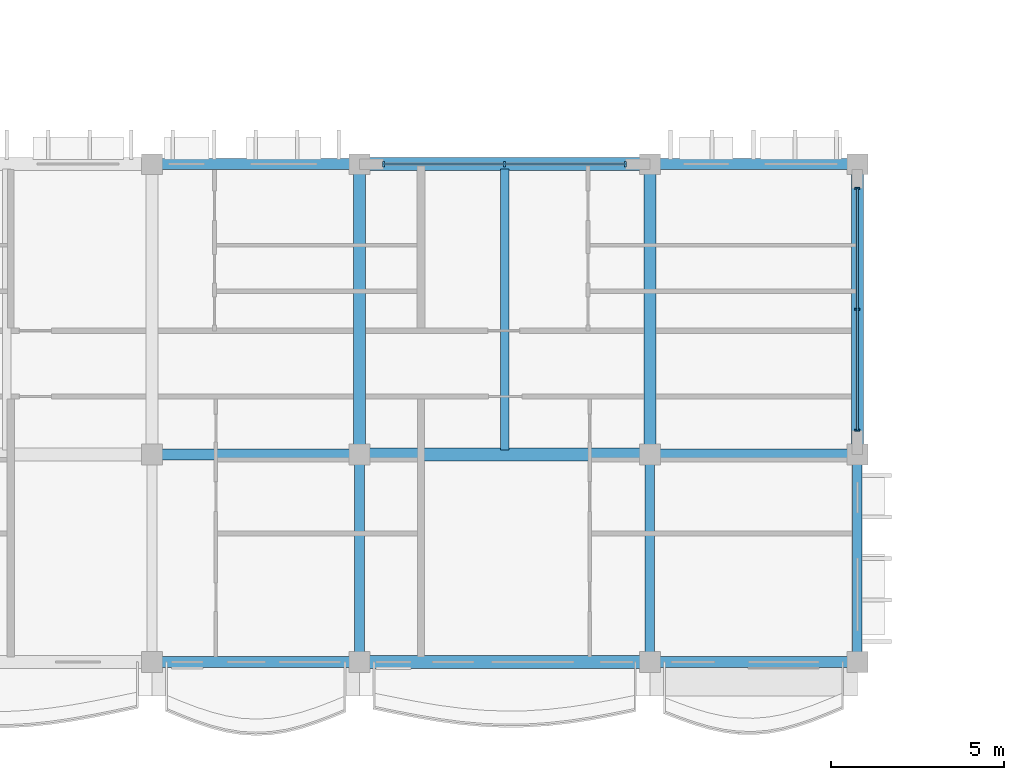
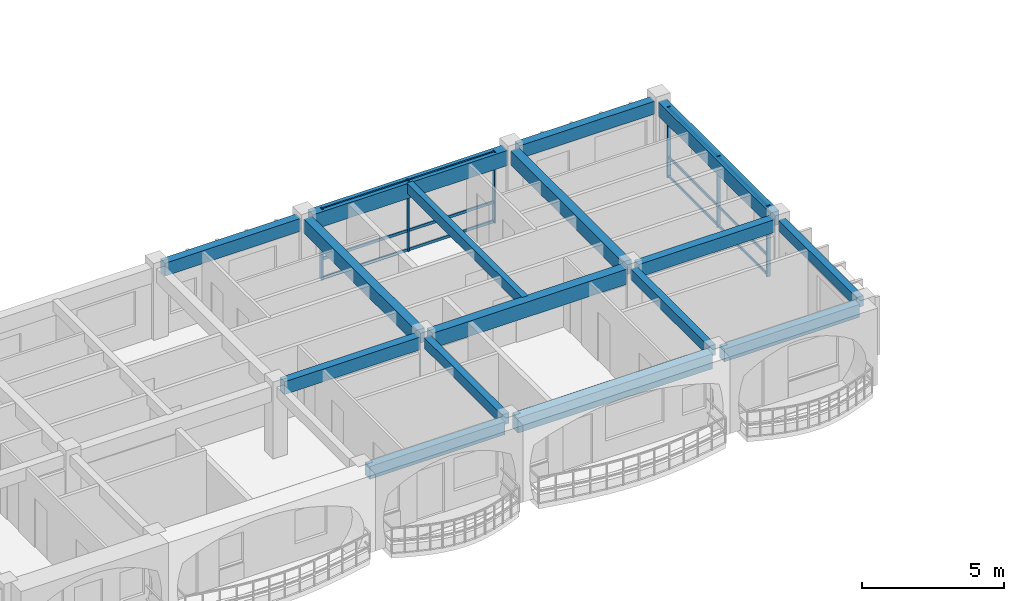
# One storey, part 5 of 76: 16 beams, 12 members, 2 elements without a shape of their own.
"""IFC4 building model written with IfcOpenShell, lengths in metres."""

from ifc_helpers import new_model, si_unit, direction, frame, origin, origin_2d, place, context, subcontext, project, spatial, rectangle, extrude, material, material_profile, profile_set, type_object, element, aggregate, save


model = new_model("IFC4")

# Units and contexts
model_context = context("Model", 3, precision=1e-05, world=origin(), true_north=direction((0.0, 1.0)))
body_context = subcontext(model_context, "Body", "Model", "MODEL_VIEW")
ifc_project = project(units=[si_unit("LENGTHUNIT", "METRE"), si_unit("AREAUNIT", "SQUARE_METRE"), si_unit("VOLUMEUNIT", "CUBIC_METRE"), si_unit("PLANEANGLEUNIT", "RADIAN"), si_unit("MASSUNIT", "GRAM", prefix="KILO"), si_unit("THERMODYNAMICTEMPERATUREUNIT", "KELVIN")], contexts=[model_context])

# Site, building, storey
site_placement = place(None, origin())
site = spatial("IfcSite", under=ifc_project, at=site_placement, CompositionType="ELEMENT")
building_placement = place(site_placement, origin())
building = spatial("IfcBuilding", under=site, at=building_placement, Name="Thalorik Housing Commons", CompositionType="ELEMENT")
storey_placement = place(building_placement, frame((0.0, 0.0, 18.0)))
storey = spatial("IfcBuildingStorey", under=building, at=storey_placement, Name="L05", CompositionType="ELEMENT", Elevation=18.0)

# Curtain wall, members
ifc_material_1 = material(Name="Anodised aluminium and solar-control low-E glass", Category="aluminium")
curtain_wall_type = type_object("IfcCurtainWallType", Name="ARC-CW-LOUNGE", PredefinedType="USERDEFINED", material=ifc_material_1)
curtain_wall_1_placement = place(storey_placement, origin())
curtain_wall_1 = element("IfcCurtainWall", 1, at=curtain_wall_1_placement, inside=storey, type_object=curtain_wall_type, Name="L05 Curtain Wall CW-RES-L05-C-151", ObjectType="CURTAIN WALL", PredefinedType="USERDEFINED")
ifc_material_2 = material(Name="Anodised aluminium 6063-T6", Category="aluminium")
ifc_material_profile_1 = material_profile(ifc_material_2, rectangle(XDim=0.054931640625, YDim=0.139892578125, at=origin_2d()), Name="ALU MUL 55x140", Category="aluminium")
ifc_profile_set_1 = profile_set([ifc_material_profile_1], Name="Anodised aluminium 6063-T6")
member_type_1 = type_object("IfcMemberType", Name="ARC-CW-MUL-55x140", PredefinedType="MULLION", material=ifc_profile_set_1)
member_1_placement = place(storey_placement, frame((57.60009765625, 15.10009765625, 0.0), z_axis=(0.0, 0.0, 1.0), x_axis=(0.0, 1.0, 0.0)))
member_1 = element("IfcMember", 2, at=member_1_placement, type_object=member_type_1, Name="CW-RES-L05-C-151 Mullion 1", PredefinedType="MULLION", context=body_context, shape_type="SweptSolid", body=[
    extrude(rectangle(XDim=0.054931640625, YDim=0.139892578125, at=origin_2d()), origin(), (0.0, 0.0, 1.0), 3.0400390625),
])
member_2_placement = place(storey_placement, frame((57.60009765625, 18.60009765625, 0.0), z_axis=(0.0, 0.0, 1.0), x_axis=(0.0, 1.0, 0.0)))
member_2 = element("IfcMember", 3, at=member_2_placement, type_object=member_type_1, Name="CW-RES-L05-C-151 Mullion 2", PredefinedType="MULLION", context=body_context, shape_type="SweptSolid", body=[
    extrude(rectangle(XDim=0.054931640625, YDim=0.139892578125, at=origin_2d()), origin(), (0.0, 0.0, 1.0), 3.0400390625),
])
member_3_placement = place(storey_placement, frame((57.60009765625, 22.10009765625, 0.0), z_axis=(0.0, 0.0, 1.0), x_axis=(0.0, 1.0, 0.0)))
member_3 = element("IfcMember", 4, at=member_3_placement, type_object=member_type_1, Name="CW-RES-L05-C-151 Mullion 3", PredefinedType="MULLION", context=body_context, shape_type="SweptSolid", body=[
    extrude(rectangle(XDim=0.054931640625, YDim=0.139892578125, at=origin_2d()), origin(), (0.0, 0.0, 1.0), 3.0400390625),
])

curtain_wall_2_placement = place(storey_placement, origin())
curtain_wall_2 = element("IfcCurtainWall", 5, at=curtain_wall_2_placement, inside=storey, type_object=curtain_wall_type, Name="L05 Curtain Wall CW-RES-L05-C-152", ObjectType="CURTAIN WALL", PredefinedType="USERDEFINED")
ifc_material_profile_2 = material_profile(ifc_material_2, rectangle(XDim=0.06005859375, YDim=0.159912109375, at=origin_2d()), Name="ALU MUL 60x160", Category="aluminium")
ifc_profile_set_2 = profile_set([ifc_material_profile_2], Name="Anodised aluminium 6063-T6")
member_type_2 = type_object("IfcMemberType", Name="ARC-CW-MUL-60x160", PredefinedType="MULLION", material=ifc_profile_set_2)
member_4_placement = place(storey_placement, frame((50.89990234375, 22.800048828125, 0.0), z_axis=(0.0, 0.0, 1.0), x_axis=(-1.0, 0.0, 0.0)))
member_4 = element("IfcMember", 6, at=member_4_placement, type_object=member_type_2, Name="CW-RES-L05-C-152 Mullion 1", PredefinedType="MULLION", context=body_context, shape_type="SweptSolid", body=[
    extrude(rectangle(XDim=0.06005859375, YDim=0.159912109375, at=origin_2d()), origin(), (0.0, 0.0, 1.0), 3.0400390625),
])
member_5_placement = place(storey_placement, frame((47.39990234375, 22.800048828125, 0.0), z_axis=(0.0, 0.0, 1.0), x_axis=(-1.0, 0.0, 0.0)))
member_5 = element("IfcMember", 7, at=member_5_placement, type_object=member_type_2, Name="CW-RES-L05-C-152 Mullion 2", PredefinedType="MULLION", context=body_context, shape_type="SweptSolid", body=[
    extrude(rectangle(XDim=0.06005859375, YDim=0.159912109375, at=origin_2d()), origin(), (0.0, 0.0, 1.0), 3.0400390625),
])
member_6_placement = place(storey_placement, frame((43.89990234375, 22.800048828125, 0.0), z_axis=(0.0, 0.0, 1.0), x_axis=(-1.0, 0.0, 0.0)))
member_6 = element("IfcMember", 8, at=member_6_placement, type_object=member_type_2, Name="CW-RES-L05-C-152 Mullion 3", PredefinedType="MULLION", context=body_context, shape_type="SweptSolid", body=[
    extrude(rectangle(XDim=0.06005859375, YDim=0.159912109375, at=origin_2d()), origin(), (0.0, 0.0, 1.0), 3.0400390625),
])

# Member
ifc_material_profile_3 = material_profile(ifc_material_2, rectangle(XDim=0.054931640625, YDim=0.10498046875, at=origin_2d()), Name="ALU TRN 55x105", Category="aluminium")
ifc_profile_set_3 = profile_set([ifc_material_profile_3], Name="Anodised aluminium 6063-T6")
member_type_3 = type_object("IfcMemberType", Name="ARC-CW-TRN-55x105", PredefinedType="USERDEFINED", material=ifc_profile_set_3)
member_7_placement = place(storey_placement, frame((57.60009765625, 15.10009765625, 0.054931640625), z_axis=(0.0, 1.0, 0.0), x_axis=(-1.0, 0.0, 0.0)))
member_7 = element("IfcMember", 9, at=member_7_placement, type_object=member_type_3, Name="CW-RES-L05-C-151 Transom 1", ObjectType="TRANSOM", PredefinedType="USERDEFINED", context=body_context, shape_type="SweptSolid", body=[
    extrude(rectangle(XDim=0.054931640625, YDim=0.10498046875, at=origin_2d()), origin(), (0.0, 0.0, 1.0), 7.0),
])

member_8_placement = place(storey_placement, frame((57.60009765625, 15.10009765625, 0.8798828125), z_axis=(0.0, 1.0, 0.0), x_axis=(-1.0, 0.0, 0.0)))
member_8 = element("IfcMember", 10, at=member_8_placement, type_object=member_type_3, Name="CW-RES-L05-C-151 Transom 2", ObjectType="TRANSOM", PredefinedType="USERDEFINED", context=body_context, shape_type="SweptSolid", body=[
    extrude(rectangle(XDim=0.054931640625, YDim=0.10498046875, at=origin_2d()), origin(), (0.0, 0.0, 1.0), 7.0),
])

member_9_placement = place(storey_placement, frame((57.60009765625, 15.10009765625, 2.985107421875), z_axis=(0.0, 1.0, 0.0), x_axis=(-1.0, 0.0, 0.0)))
member_9 = element("IfcMember", 11, at=member_9_placement, type_object=member_type_3, Name="CW-RES-L05-C-151 Transom 3", ObjectType="TRANSOM", PredefinedType="USERDEFINED", context=body_context, shape_type="SweptSolid", body=[
    extrude(rectangle(XDim=0.054931640625, YDim=0.10498046875, at=origin_2d()), origin(), (0.0, 0.0, 1.0), 7.0),
])

aggregate(curtain_wall_1, [member_1, member_2, member_3, member_7, member_8, member_9])

ifc_material_profile_4 = material_profile(ifc_material_2, rectangle(XDim=0.06005859375, YDim=0.1201171875, at=origin_2d()), Name="ALU TRN 60x120", Category="aluminium")
ifc_profile_set_4 = profile_set([ifc_material_profile_4], Name="Anodised aluminium 6063-T6")
member_type_4 = type_object("IfcMemberType", Name="ARC-CW-TRN-60x120", PredefinedType="USERDEFINED", material=ifc_profile_set_4)
member_10_placement = place(storey_placement, frame((50.89990234375, 22.800048828125, 0.054931640625), z_axis=(-1.0, 0.0, 0.0), x_axis=(0.0, -1.0, 0.0)))
member_10 = element("IfcMember", 12, at=member_10_placement, type_object=member_type_4, Name="CW-RES-L05-C-152 Transom 1", ObjectType="TRANSOM", PredefinedType="USERDEFINED", context=body_context, shape_type="SweptSolid", body=[
    extrude(rectangle(XDim=0.06005859375, YDim=0.1201171875, at=origin_2d()), origin(), (0.0, 0.0, 1.0), 7.0),
])

member_11_placement = place(storey_placement, frame((50.89990234375, 22.800048828125, 0.8798828125), z_axis=(-1.0, 0.0, 0.0), x_axis=(0.0, -1.0, 0.0)))
member_11 = element("IfcMember", 13, at=member_11_placement, type_object=member_type_4, Name="CW-RES-L05-C-152 Transom 2", ObjectType="TRANSOM", PredefinedType="USERDEFINED", context=body_context, shape_type="SweptSolid", body=[
    extrude(rectangle(XDim=0.06005859375, YDim=0.1201171875, at=origin_2d()), origin(), (0.0, 0.0, 1.0), 7.0),
])

member_12_placement = place(storey_placement, frame((50.89990234375, 22.800048828125, 2.985107421875), z_axis=(-1.0, 0.0, 0.0), x_axis=(0.0, -1.0, 0.0)))
member_12 = element("IfcMember", 14, at=member_12_placement, type_object=member_type_4, Name="CW-RES-L05-C-152 Transom 3", ObjectType="TRANSOM", PredefinedType="USERDEFINED", context=body_context, shape_type="SweptSolid", body=[
    extrude(rectangle(XDim=0.06005859375, YDim=0.1201171875, at=origin_2d()), origin(), (0.0, 0.0, 1.0), 7.0),
])

aggregate(curtain_wall_2, [member_4, member_5, member_6, member_10, member_11, member_12])

# Beams
ifc_material_3 = material(Name="Precast concrete C40/50", Category="concrete")
ifc_material_profile_5 = material_profile(ifc_material_3, rectangle(XDim=0.280029296875, YDim=0.449951171875, at=origin_2d()), Name="PC 280x450", Category="concrete")
ifc_profile_set_5 = profile_set([ifc_material_profile_5], Name="Precast concrete C40/50")
beam_type_1 = type_object("IfcBeamType", Name="STR-BM-PC280x450", PredefinedType="BEAM", material=ifc_profile_set_5)
for number, where, z_axis, x_axis, name in (
    (15, (43.199951171875, 8.64990234375, 2.81494140625), (0.0, 1.0, 0.0), (-1.0, 0.0, 0.0), "L05 Beam B-450"),
    (16, (51.60009765625, 8.64990234375, 2.81494140625), (0.0, 1.0, 0.0), (-1.0, 0.0, 0.0), "L05 Beam B-450"),
    (17, (57.60009765625, 8.64990234375, 2.81494140625), (0.0, 1.0, 0.0), (-1.0, 0.0, 0.0), "L05 Beam B-450"),
):
    element("IfcBeam", number, at=place(storey_placement, frame(where, z_axis=z_axis, x_axis=x_axis)), inside=storey, type_object=beam_type_1, Name=name, PredefinedType="BEAM", context=body_context, shape_type="SweptSolid", body=[
        extrude(rectangle(XDim=0.280029296875, YDim=0.449951171875, at=origin_2d()), origin(), (0.0, 0.0, 1.0), 5.5),
    ])
ifc_material_profile_6 = material_profile(ifc_material_3, rectangle(XDim=0.320068359375, YDim=0.550048828125, at=origin_2d()), Name="PC 320x550", Category="concrete")
ifc_profile_set_6 = profile_set([ifc_material_profile_6], Name="Precast concrete C40/50")
beam_type_2 = type_object("IfcBeamType", Name="STR-BM-PC320x550", PredefinedType="BEAM", material=ifc_profile_set_6)
for number, where, z_axis, x_axis, name in (
    (18, (37.449951171875, 8.39990234375, 2.764892578125), (1.0, 0.0, 0.0), (0.0, 1.0, 0.0), "L05 Beam B-550"),
    (19, (51.85009765625, 8.39990234375, 2.764892578125), (1.0, 0.0, 0.0), (0.0, 1.0, 0.0), "L05 Beam B-550"),
    (20, (37.449951171875, 14.39990234375, 2.764892578125), (1.0, 0.0, 0.0), (0.0, 1.0, 0.0), "L05 Beam B-550"),
    (21, (51.85009765625, 14.39990234375, 2.764892578125), (1.0, 0.0, 0.0), (0.0, 1.0, 0.0), "L05 Beam B-550"),
    (22, (37.449951171875, 22.800048828125, 2.764892578125), (1.0, 0.0, 0.0), (0.0, 1.0, 0.0), "L05 Beam B-550"),
    (23, (51.85009765625, 22.800048828125, 2.764892578125), (1.0, 0.0, 0.0), (0.0, 1.0, 0.0), "L05 Beam B-550"),
):
    element("IfcBeam", number, at=place(storey_placement, frame(where, z_axis=z_axis, x_axis=x_axis)), inside=storey, type_object=beam_type_2, Name=name, PredefinedType="BEAM", context=body_context, shape_type="SweptSolid", body=[
        extrude(rectangle(XDim=0.320068359375, YDim=0.550048828125, at=origin_2d()), origin(), (0.0, 0.0, 1.0), 5.5),
    ])
ifc_material_profile_7 = material_profile(ifc_material_3, rectangle(XDim=0.35009765625, YDim=0.60009765625, at=origin_2d()), Name="PC 350x600", Category="concrete")
ifc_profile_set_7 = profile_set([ifc_material_profile_7], Name="Precast concrete C40/50")
beam_type_3 = type_object("IfcBeamType", Name="STR-BM-PC350x600", PredefinedType="BEAM", material=ifc_profile_set_7)
for number, where, z_axis, x_axis, name in (
    (24, (43.199951171875, 14.64990234375, 2.739990234375), (0.0, 1.0, 0.0), (-1.0, 0.0, 0.0), "L05 Beam B-600"),
    (25, (51.60009765625, 14.64990234375, 2.739990234375), (0.0, 1.0, 0.0), (-1.0, 0.0, 0.0), "L05 Beam B-600"),
    (26, (57.60009765625, 14.64990234375, 2.739990234375), (0.0, 1.0, 0.0), (-1.0, 0.0, 0.0), "L05 Beam B-600"),
):
    element("IfcBeam", number, at=place(storey_placement, frame(where, z_axis=z_axis, x_axis=x_axis)), inside=storey, type_object=beam_type_3, Name=name, PredefinedType="BEAM", context=body_context, shape_type="SweptSolid", body=[
        extrude(rectangle(XDim=0.35009765625, YDim=0.60009765625, at=origin_2d()), origin(), (0.0, 0.0, 1.0), 7.900146484375),
    ])
ifc_material_profile_8 = material_profile(ifc_material_3, rectangle(XDim=0.3798828125, YDim=0.64990234375, at=origin_2d()), Name="PC 380x650", Category="concrete")
ifc_profile_set_8 = profile_set([ifc_material_profile_8], Name="Precast concrete C40/50")
beam_type_4 = type_object("IfcBeamType", Name="STR-BM-PC380x650", PredefinedType="BEAM", material=ifc_profile_set_8)
for number, where, z_axis, x_axis, name in (
    (27, (43.449951171875, 8.39990234375, 2.715087890625), (1.0, 0.0, 0.0), (0.0, 1.0, 0.0), "L05 Beam B-650"),
    (28, (43.449951171875, 14.39990234375, 2.715087890625), (1.0, 0.0, 0.0), (0.0, 1.0, 0.0), "L05 Beam B-650"),
    (29, (43.449951171875, 22.800048828125, 2.715087890625), (1.0, 0.0, 0.0), (0.0, 1.0, 0.0), "L05 Beam B-650"),
):
    element("IfcBeam", number, at=place(storey_placement, frame(where, z_axis=z_axis, x_axis=x_axis)), inside=storey, type_object=beam_type_4, Name=name, PredefinedType="BEAM", context=body_context, shape_type="SweptSolid", body=[
        extrude(rectangle(XDim=0.3798828125, YDim=0.64990234375, at=origin_2d()), origin(), (0.0, 0.0, 1.0), 7.900146484375),
    ])
ifc_material_profile_9 = material_profile(ifc_material_3, rectangle(XDim=0.239990234375, YDim=0.43994140625, at=origin_2d()), Name="PC JST 240x440", Category="concrete")
ifc_profile_set_9 = profile_set([ifc_material_profile_9], Name="Precast concrete C40/50")
beam_type_5 = type_object("IfcBeamType", Name="STR-JST-PC240x440", PredefinedType="JOIST", material=ifc_profile_set_9)
beam_placement = place(storey_placement, frame((47.39990234375, 14.5400390625, 2.820068359375), z_axis=(0.0, 1.0, 0.0), x_axis=(-1.0, 0.0, 0.0)))
element("IfcBeam", 30, at=beam_placement, inside=storey, type_object=beam_type_5, Name="L05 Beam J-440", PredefinedType="JOIST", context=body_context, shape_type="SweptSolid", body=[
    extrude(rectangle(XDim=0.239990234375, YDim=0.43994140625, at=origin_2d()), origin(), (0.0, 0.0, 1.0), 8.119873046875),
])

save(model, "model.ifc")
